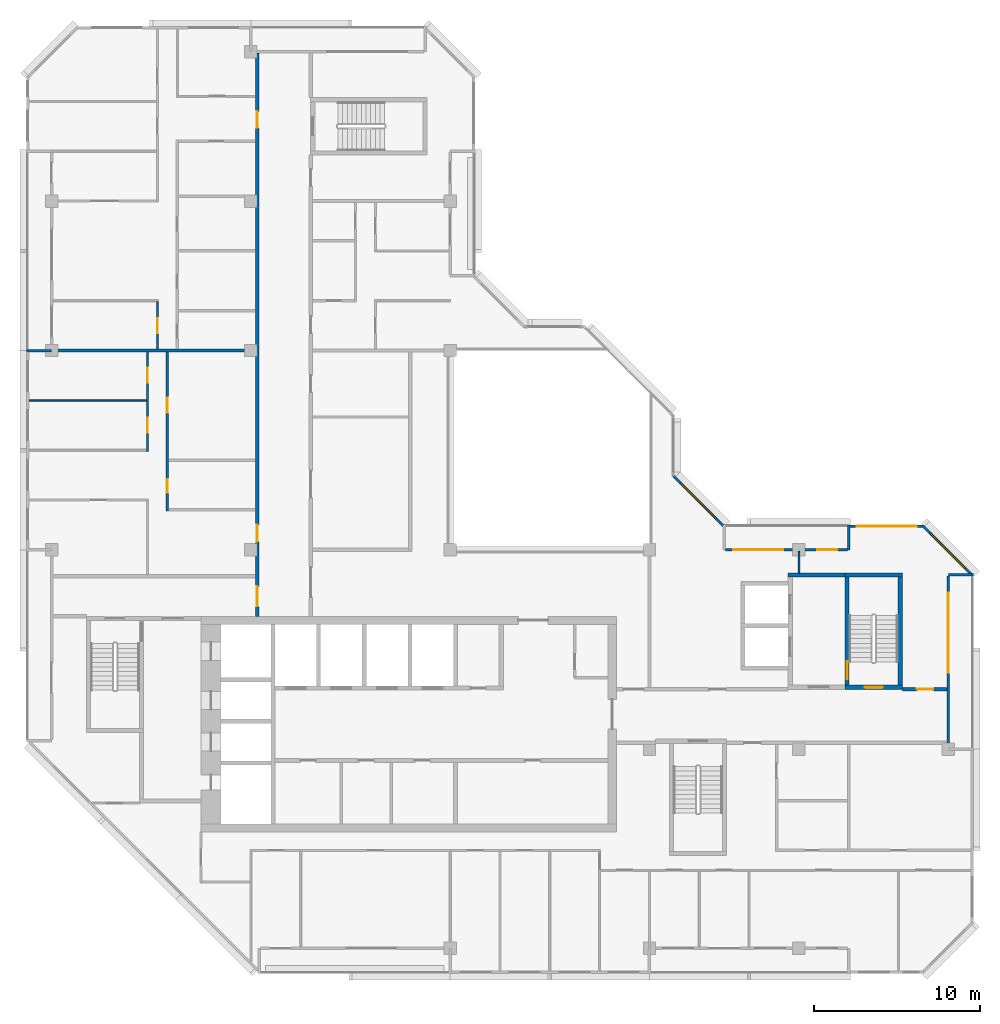
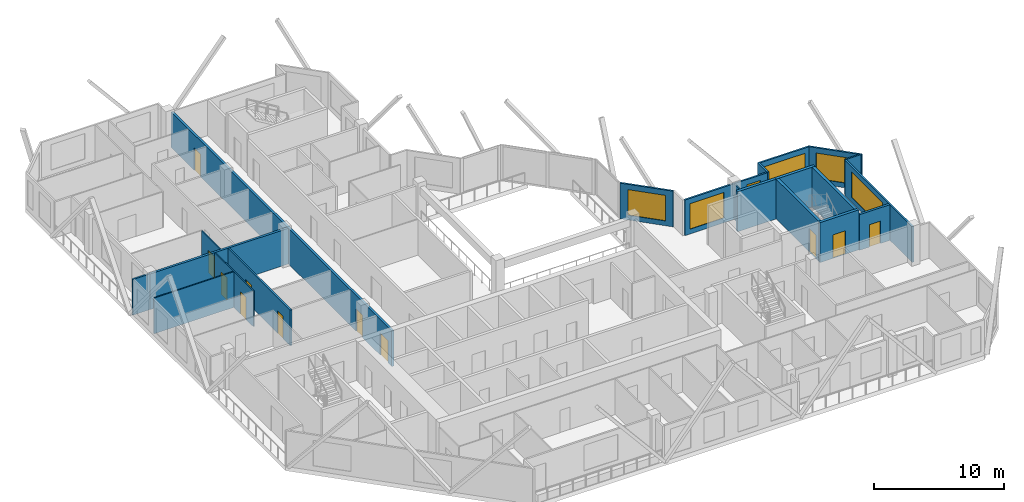
# One storey, part 7 of 12: 21 walls, 11 doors, 6 windows, 17 openings.
"""IFC4 building model written with IfcOpenShell, lengths in metres."""

from ifc_helpers import new_model, si_unit, direction, frame, frame_2d, origin, place, context, subcontext, project, spatial, rectangle, extrude, material, layer, layer_set, type_object, element, fill, save


model = new_model("IFC4")

# Units and contexts
model_context = context("Model", 3, precision=1e-05, world=origin(), true_north=direction((0.0, 1.0)))
body_context = subcontext(model_context, "Body", "Model", "MODEL_VIEW")
ifc_project = project(units=[si_unit("LENGTHUNIT", "METRE"), si_unit("AREAUNIT", "SQUARE_METRE"), si_unit("VOLUMEUNIT", "CUBIC_METRE"), si_unit("PLANEANGLEUNIT", "RADIAN"), si_unit("MASSUNIT", "GRAM", prefix="KILO")], contexts=[model_context])

# Site, building, storey
site_placement = place(None, origin())
site = spatial("IfcSite", under=ifc_project, at=site_placement, CompositionType="ELEMENT")
building_placement = place(site_placement, origin())
building = spatial("IfcBuilding", under=site, at=building_placement, Name="Chenar Terraces", CompositionType="ELEMENT")
storey_placement = place(building_placement, frame((0.0, 0.0, 361.39990234375)))
storey = spatial("IfcBuildingStorey", under=building, at=storey_placement, Name="L84", CompositionType="ELEMENT", Elevation=361.39990234375)

# Wall, opening, door
ifc_material_1 = material(Name="Concrete C50/60", Category="concrete")
ifc_layer_1 = layer(ifc_material_1, 0.25)
ifc_layer_set_1 = layer_set([ifc_layer_1], Name="Concrete C50/60")
wall_type_1 = type_object("IfcWallType", Name="Core wall 250 Concrete C50/60", PredefinedType="SHEAR", material=ifc_layer_set_1)
wall_1_placement = place(storey_placement, frame((47.77490234375, 15.72509765625, 0.0), z_axis=(0.0, 0.0, 1.0), x_axis=(1.0, 0.0, 0.0)))
wall_1 = element("IfcWall", 1, at=wall_1_placement, inside=storey, type_object=wall_type_1, Name="Core wall ST3_S L84", PredefinedType="SHEAR", context=body_context, shape_type="SweptSolid", body=[
    extrude(rectangle(XDim=3.4501953125, YDim=0.25, at=frame_2d((1.72509765625, 0.0))), origin(), (0.0, 0.0, 1.0), 3.75),
])
opening_1_placement = place(wall_1_placement, frame((1.175048828125, 0.0, 0.0)))
opening_1 = element("IfcOpeningElement", 2, at=opening_1_placement, cuts=wall_1, Name="Opening DL84-C8", PredefinedType="OPENING", context=body_context, shape_type="SweptSolid", body=[
    extrude(rectangle(XDim=1.10009765625, YDim=2.199951171875, at=frame_2d((0.550048828125, 1.10009765625))), frame((0.0, 0.135009765625, 0.0), z_axis=(0.0, -1.0, 0.0), x_axis=(1.0, 0.0, 0.0)), (0.0, 0.0, 1.0), 0.27001953125),
])
ifc_material_2 = material(Name="Steel-framed fire-resisting door leaf", Category="steel")
door_type_1 = type_object("IfcDoorType", Name="Stair fire door FD60 1100 x 2200", OperationType="SINGLE_SWING_LEFT", PredefinedType="DOOR", material=ifc_material_2)
door_1_placement = place(opening_1_placement, frame((1.10009765625, 0.0, 0.0), z_axis=(0.0, 0.0, 1.0), x_axis=(-1.0, 0.0, 0.0)))
door_1 = element("IfcDoor", 3, at=door_1_placement, inside=storey, type_object=door_type_1, Name="Stair door DL84-C8", OperationType="SINGLE_SWING_LEFT", OverallHeight=2.199951171875, OverallWidth=1.10009765625, PredefinedType="DOOR", context=body_context, shape_type="SweptSolid", body=[
    extrude(rectangle(XDim=1.10009765625, YDim=2.199951171875, at=frame_2d((0.550048828125, 1.10009765625))), frame((0.0, 0.02490234375, 0.0), z_axis=(0.0, -1.0, 0.0), x_axis=(1.0, 0.0, 0.0)), (0.0, 0.0, 1.0), 0.050048828125),
])
fill(opening_1, door_1)

# Wall
wall_2_placement = place(storey_placement, frame((47.77490234375, 22.47509765625, 0.0), z_axis=(0.0, 0.0, 1.0), x_axis=(1.0, 0.0, 0.0)))
element("IfcWall", 4, at=wall_2_placement, inside=storey, type_object=wall_type_1, Name="Core wall ST3_N L84", PredefinedType="SHEAR", context=body_context, shape_type="SweptSolid", body=[
    extrude(rectangle(XDim=3.4501953125, YDim=0.25, at=frame_2d((1.72509765625, 0.0))), origin(), (0.0, 0.0, 1.0), 3.75),
])

# Wall, opening, door
wall_3_placement = place(storey_placement, frame((47.89990234375, 15.85009765625, 0.0), z_axis=(0.0, 0.0, 1.0), x_axis=(0.0, 1.0, 0.0)))
wall_3 = element("IfcWall", 5, at=wall_3_placement, inside=storey, type_object=wall_type_1, Name="Core wall ST3_W L84", PredefinedType="SHEAR", context=body_context, shape_type="SweptSolid", body=[
    extrude(rectangle(XDim=6.5, YDim=0.25, at=frame_2d((3.25, 0.0))), origin(), (0.0, 0.0, 1.0), 3.75),
])
opening_2_placement = place(wall_3_placement, frame((0.35009765625, 0.0, 0.0)))
opening_2 = element("IfcOpeningElement", 6, at=opening_2_placement, cuts=wall_3, Name="Opening DL84-C11", PredefinedType="OPENING", context=body_context, shape_type="SweptSolid", body=[
    extrude(rectangle(XDim=1.10009765625, YDim=2.199951171875, at=frame_2d((0.550048828125, 1.10009765625))), frame((0.0, 0.135009765625, 0.0), z_axis=(0.0, -1.0, 0.0), x_axis=(1.0, 0.0, 0.0)), (0.0, 0.0, 1.0), 0.27001953125),
])
door_2_placement = place(opening_2_placement, frame((1.10009765625, 0.0, 0.0), z_axis=(0.0, 0.0, 1.0), x_axis=(-1.0, 0.0, 0.0)))
door_2 = element("IfcDoor", 7, at=door_2_placement, inside=storey, type_object=door_type_1, Name="Stair door DL84-C11", OperationType="SINGLE_SWING_RIGHT", OverallHeight=2.199951171875, OverallWidth=1.10009765625, PredefinedType="DOOR", context=body_context, shape_type="SweptSolid", body=[
    extrude(rectangle(XDim=1.10009765625, YDim=2.199951171875, at=frame_2d((0.550048828125, 1.10009765625))), frame((0.0, 0.02490234375, 0.0), z_axis=(0.0, -1.0, 0.0), x_axis=(1.0, 0.0, 0.0)), (0.0, 0.0, 1.0), 0.050048828125),
])
fill(opening_2, door_2)

# Walls
wall_4_placement = place(storey_placement, frame((51.10009765625, 15.85009765625, 0.0), z_axis=(0.0, 0.0, 1.0), x_axis=(0.0, 1.0, 0.0)))
element("IfcWall", 8, at=wall_4_placement, inside=storey, type_object=wall_type_1, Name="Core wall ST3_E L84", PredefinedType="SHEAR", context=body_context, shape_type="SweptSolid", body=[
    extrude(rectangle(XDim=6.5, YDim=0.25, at=frame_2d((3.25, 0.0))), origin(), (0.0, 0.0, 1.0), 3.75),
])
wall_5_placement = place(storey_placement, frame((44.35009765625, 22.47509765625, 0.0), z_axis=(0.0, 0.0, 1.0), x_axis=(1.0, 0.0, 0.0)))
element("IfcWall", 9, at=wall_5_placement, inside=storey, type_object=wall_type_1, Name="Core wall F3_LN L84", PredefinedType="SHEAR", context=body_context, shape_type="SweptSolid", body=[
    extrude(rectangle(XDim=3.4248046875, YDim=0.25, at=frame_2d((1.71240234375, 0.0))), origin(), (0.0, 0.0, 1.0), 3.75),
])

# Wall, openings, doors
ifc_material_3 = material(Name="Gypsum board on steel studs with fire boards", Category="steel")
ifc_layer_2 = layer(ifc_material_3, 0.199951171875)
ifc_layer_set_2 = layer_set([ifc_layer_2], Name="Gypsum board on steel studs with fire boards")
wall_type_2 = type_object("IfcWallType", Name="Corridor wall 200", PredefinedType="PARTITIONING", material=ifc_layer_set_2)
wall_6_placement = place(storey_placement, frame((12.375, 20.0, 0.0), z_axis=(0.0, 0.0, 1.0), x_axis=(0.0, 1.0, 0.0)))
wall_6 = element("IfcWall", 10, at=wall_6_placement, inside=storey, type_object=wall_type_2, Name="Partition L84-030", PredefinedType="PARTITIONING", context=body_context, shape_type="SweptSolid", body=[
    extrude(rectangle(XDim=33.926025390625, YDim=0.199951171875, at=frame_2d((16.962890625, 0.0))), origin(), (0.0, 0.0, 1.0), 3.35009765625),
])
opening_3_placement = place(wall_6_placement, frame((29.39990234375, 0.0, 0.0)))
opening_3 = element("IfcOpeningElement", 11, at=opening_3_placement, cuts=wall_6, Name="Opening DL84-14", PredefinedType="OPENING", context=body_context, shape_type="SweptSolid", body=[
    extrude(rectangle(XDim=1.0, YDim=2.10009765625, at=frame_2d((0.5, 1.050048828125))), frame((0.0, 0.10986328125, 0.0), z_axis=(0.0, -1.0, 0.0), x_axis=(1.0, 0.0, 0.0)), (0.0, 0.0, 1.0), 0.219970703125),
])
opening_4_placement = place(wall_6_placement, frame((0.60009765625, 0.0, 0.0)))
opening_4 = element("IfcOpeningElement", 12, at=opening_4_placement, cuts=wall_6, Name="Opening DL84-21", PredefinedType="OPENING", context=body_context, shape_type="SweptSolid", body=[
    extrude(rectangle(XDim=1.199951171875, YDim=2.10009765625, at=frame_2d((0.60009765625, 1.050048828125))), frame((0.0, 0.10986328125, 0.0), z_axis=(0.0, -1.0, 0.0), x_axis=(1.0, 0.0, 0.0)), (0.0, 0.0, 1.0), 0.219970703125),
])
opening_5_placement = place(wall_6_placement, frame((4.5, 0.0, 0.0)))
opening_5 = element("IfcOpeningElement", 13, at=opening_5_placement, cuts=wall_6, Name="Opening DL84-44", PredefinedType="OPENING", context=body_context, shape_type="SweptSolid", body=[
    extrude(rectangle(XDim=1.0, YDim=2.10009765625, at=frame_2d((0.5, 1.050048828125))), frame((0.0, 0.10986328125, 0.0), z_axis=(0.0, -1.0, 0.0), x_axis=(1.0, 0.0, 0.0)), (0.0, 0.0, 1.0), 0.219970703125),
])
ifc_material_4 = material(Name="Steel-framed fire-resisting door leaf", Category="steel")
door_type_2 = type_object("IfcDoorType", Name="Fire door FD30S 1000 x 2100", OperationType="SINGLE_SWING_LEFT", PredefinedType="DOOR", material=ifc_material_4)
door_3_placement = place(opening_3_placement, origin())
door_3 = element("IfcDoor", 14, at=door_3_placement, inside=storey, type_object=door_type_2, Name="Door DL84-14", OperationType="SINGLE_SWING_LEFT", OverallHeight=2.10009765625, OverallWidth=1.0, PredefinedType="DOOR", context=body_context, shape_type="SweptSolid", body=[
    extrude(rectangle(XDim=1.0, YDim=2.10009765625, at=frame_2d((0.5, 1.050048828125))), frame((0.0, 0.02490234375, 0.0), z_axis=(0.0, -1.0, 0.0), x_axis=(1.0, 0.0, 0.0)), (0.0, 0.0, 1.0), 0.050048828125),
])
fill(opening_3, door_3)
door_4_placement = place(opening_5_placement, origin())
door_4 = element("IfcDoor", 15, at=door_4_placement, inside=storey, type_object=door_type_2, Name="Door DL84-44", OperationType="SINGLE_SWING_LEFT", OverallHeight=2.10009765625, OverallWidth=1.0, PredefinedType="DOOR", context=body_context, shape_type="SweptSolid", body=[
    extrude(rectangle(XDim=1.0, YDim=2.10009765625, at=frame_2d((0.5, 1.050048828125))), frame((0.0, 0.02490234375, 0.0), z_axis=(0.0, -1.0, 0.0), x_axis=(1.0, 0.0, 0.0)), (0.0, 0.0, 1.0), 0.050048828125),
])
fill(opening_5, door_4)
ifc_material_5 = material(Name="Steel-framed fire-resisting door leaf", Category="steel")
door_type_3 = type_object("IfcDoorType", Name="Fire door FD30S 1200 x 2100", OperationType="SINGLE_SWING_LEFT", PredefinedType="DOOR", material=ifc_material_5)
door_5_placement = place(opening_4_placement, origin())
door_5 = element("IfcDoor", 16, at=door_5_placement, inside=storey, type_object=door_type_3, Name="Door DL84-21", OperationType="SINGLE_SWING_RIGHT", OverallHeight=2.10009765625, OverallWidth=1.199951171875, PredefinedType="DOOR", context=body_context, shape_type="SweptSolid", body=[
    extrude(rectangle(XDim=1.199951171875, YDim=2.10009765625, at=frame_2d((0.60009765625, 1.050048828125))), frame((0.0, 0.02490234375, 0.0), z_axis=(0.0, -1.0, 0.0), x_axis=(1.0, 0.0, 0.0)), (0.0, 0.0, 1.0), 0.050048828125),
])
fill(opening_4, door_5)

# Wall, opening, door
wall_7_placement = place(storey_placement, frame((51.22509765625, 15.60009765625, 0.0), z_axis=(0.0, 0.0, 1.0), x_axis=(1.0, 0.0, 0.0)))
wall_7 = element("IfcWall", 17, at=wall_7_placement, inside=storey, type_object=wall_type_2, Name="Partition L84-064", PredefinedType="PARTITIONING", context=body_context, shape_type="SweptSolid", body=[
    extrude(rectangle(XDim=2.700927734375, YDim=0.199951171875, at=frame_2d((1.3505859375, 0.0))), origin(), (0.0, 0.0, 1.0), 3.35009765625),
])
opening_6_placement = place(wall_7_placement, frame((0.875, 0.0, 0.0)))
opening_6 = element("IfcOpeningElement", 18, at=opening_6_placement, cuts=wall_7, Name="Opening DL84-22", PredefinedType="OPENING", context=body_context, shape_type="SweptSolid", body=[
    extrude(rectangle(XDim=1.0, YDim=2.10009765625, at=frame_2d((0.5, 1.050048828125))), frame((0.0, 0.10986328125, 0.0), z_axis=(0.0, -1.0, 0.0), x_axis=(1.0, 0.0, 0.0)), (0.0, 0.0, 1.0), 0.219970703125),
])
ifc_material_6 = material(Name="Steel-framed fire-resisting door leaf", Category="steel")
door_type_4 = type_object("IfcDoorType", Name="Fire door FD60 1000 x 2100", OperationType="SINGLE_SWING_LEFT", PredefinedType="DOOR", material=ifc_material_6)
door_6_placement = place(opening_6_placement, origin())
door_6 = element("IfcDoor", 19, at=door_6_placement, inside=storey, type_object=door_type_4, Name="Door DL84-22", OperationType="SINGLE_SWING_RIGHT", OverallHeight=2.10009765625, OverallWidth=1.0, PredefinedType="DOOR", context=body_context, shape_type="SweptSolid", body=[
    extrude(rectangle(XDim=1.0, YDim=2.10009765625, at=frame_2d((0.5, 1.050048828125))), frame((0.0, 0.02490234375, 0.0), z_axis=(0.0, -1.0, 0.0), x_axis=(1.0, 0.0, 0.0)), (0.0, 0.0, 1.0), 0.050048828125),
])
fill(opening_6, door_6)

# Wall, opening, window
ifc_material_7 = material(Name="Aluminium framed glazing", Category="aluminium")
ifc_layer_3 = layer(ifc_material_7, 0.14990234375)
ifc_layer_set_3 = layer_set([ifc_layer_3], Name="Aluminium framed glazing")
wall_type_3 = type_object("IfcWallType", Name="Glazed flush facade wall 150", PredefinedType="SOLIDWALL", material=ifc_layer_set_3)
wall_8_placement = place(storey_placement, frame((52.5, 25.425048828125, 0.0), z_axis=(0.0, 0.0, 1.0), x_axis=(-1.0, 0.0, 0.0)))
wall_8 = element("IfcWall", 20, at=wall_8_placement, inside=storey, type_object=wall_type_3, Name="Glazed flush facade wall", PredefinedType="SOLIDWALL", context=body_context, shape_type="SweptSolid", body=[
    extrude(rectangle(XDim=4.425048828125, YDim=0.14990234375, at=frame_2d((2.21240234375, 0.0))), origin(), (0.0, 0.0, 1.0), 3.35009765625),
])
opening_7_placement = place(wall_8_placement, frame((0.41259765625, 0.0, 0.449951171875)))
opening_7 = element("IfcOpeningElement", 21, at=opening_7_placement, cuts=wall_8, Name="Opening W360x240", PredefinedType="OPENING", context=body_context, shape_type="SweptSolid", body=[
    extrude(rectangle(XDim=3.60009765625, YDim=2.39990234375, at=frame_2d((1.800048828125, 1.199951171875))), frame((0.0, 0.0849609375, 0.0), z_axis=(0.0, -1.0, 0.0), x_axis=(1.0, 0.0, 0.0)), (0.0, 0.0, 1.0), 0.169921875),
])
ifc_material_8 = material(Name="Low emissivity double glazing, aluminium frame", Category="aluminium")
window_type_1 = type_object("IfcWindowType", Name="Fixed light 3600 x 2400", PartitioningType="SINGLE_PANEL", PredefinedType="WINDOW", material=ifc_material_8)
window_1_placement = place(opening_7_placement, origin())
window_1 = element("IfcWindow", 22, at=window_1_placement, inside=storey, type_object=window_type_1, Name="Window", OverallHeight=2.39990234375, OverallWidth=3.60009765625, PartitioningType="SINGLE_PANEL", PredefinedType="WINDOW", context=body_context, shape_type="SweptSolid", body=[
    extrude(rectangle(XDim=3.60009765625, YDim=2.39990234375, at=frame_2d((1.800048828125, 1.199951171875))), frame((0.0, 0.030029296875, 0.0), z_axis=(0.0, -1.0, 0.0), x_axis=(1.0, 0.0, 0.0)), (0.0, 0.0, 1.0), 0.06005859375),
])
fill(opening_7, window_1)

# Wall, openings, windows
ifc_material_9 = material(Name="Aluminium framed glazing", Category="aluminium")
ifc_layer_4 = layer(ifc_material_9, 0.14990234375)
ifc_layer_set_4 = layer_set([ifc_layer_4], Name="Aluminium framed glazing")
wall_type_4 = type_object("IfcWallType", Name="Glazed loggia back wall 150", PredefinedType="SOLIDWALL", material=ifc_layer_set_4)
wall_9_placement = place(storey_placement, frame((47.925048828125, 24.0, 0.0), z_axis=(0.0, 0.0, 1.0), x_axis=(-1.0, 0.0, 0.0)))
wall_9 = element("IfcWall", 23, at=wall_9_placement, inside=storey, type_object=wall_type_4, Name="Glazed loggia back wall", PredefinedType="SOLIDWALL", context=body_context, shape_type="SweptSolid", body=[
    extrude(rectangle(XDim=7.35009765625, YDim=0.14990234375, at=frame_2d((3.675048828125, 0.0))), origin(), (0.0, 0.0, 1.0), 3.35009765625),
])
opening_8_placement = place(wall_9_placement, frame((0.625, 0.0, 0.449951171875)))
opening_8 = element("IfcOpeningElement", 24, at=opening_8_placement, cuts=wall_9, Name="Opening W120x240", PredefinedType="OPENING", context=body_context, shape_type="SweptSolid", body=[
    extrude(rectangle(XDim=1.199951171875, YDim=2.39990234375, at=frame_2d((0.60009765625, 1.199951171875))), frame((0.0, 0.0849609375, 0.0), z_axis=(0.0, -1.0, 0.0), x_axis=(1.0, 0.0, 0.0)), (0.0, 0.0, 1.0), 0.169921875),
])
opening_9_placement = place(wall_9_placement, frame((3.875, 0.0, 0.449951171875)))
opening_9 = element("IfcOpeningElement", 25, at=opening_9_placement, cuts=wall_9, Name="Opening W300x240", PredefinedType="OPENING", context=body_context, shape_type="SweptSolid", body=[
    extrude(rectangle(XDim=3.0, YDim=2.39990234375, at=frame_2d((1.5, 1.199951171875))), frame((0.0, 0.0849609375, 0.0), z_axis=(0.0, -1.0, 0.0), x_axis=(1.0, 0.0, 0.0)), (0.0, 0.0, 1.0), 0.169921875),
])
ifc_material_10 = material(Name="Low emissivity double glazing, aluminium frame", Category="aluminium")
window_type_2 = type_object("IfcWindowType", Name="Fixed light 1200 x 2400", PartitioningType="SINGLE_PANEL", PredefinedType="WINDOW", material=ifc_material_10)
window_2_placement = place(opening_8_placement, origin())
window_2 = element("IfcWindow", 26, at=window_2_placement, inside=storey, type_object=window_type_2, Name="Window", OverallHeight=2.39990234375, OverallWidth=1.199951171875, PartitioningType="SINGLE_PANEL", PredefinedType="WINDOW", context=body_context, shape_type="SweptSolid", body=[
    extrude(rectangle(XDim=1.199951171875, YDim=2.39990234375, at=frame_2d((0.60009765625, 1.199951171875))), frame((0.0, 0.030029296875, 0.0), z_axis=(0.0, -1.0, 0.0), x_axis=(1.0, 0.0, 0.0)), (0.0, 0.0, 1.0), 0.06005859375),
])
fill(opening_8, window_2)
ifc_material_11 = material(Name="Low emissivity double glazing, aluminium frame", Category="aluminium")
window_type_3 = type_object("IfcWindowType", Name="Fixed light 3000 x 2400", PartitioningType="SINGLE_PANEL", PredefinedType="WINDOW", material=ifc_material_11)
window_3_placement = place(opening_9_placement, origin())
window_3 = element("IfcWindow", 27, at=window_3_placement, inside=storey, type_object=window_type_3, Name="Window", OverallHeight=2.39990234375, OverallWidth=3.0, PartitioningType="SINGLE_PANEL", PredefinedType="WINDOW", context=body_context, shape_type="SweptSolid", body=[
    extrude(rectangle(XDim=3.0, YDim=2.39990234375, at=frame_2d((1.5, 1.199951171875))), frame((0.0, 0.030029296875, 0.0), z_axis=(0.0, -1.0, 0.0), x_axis=(1.0, 0.0, 0.0)), (0.0, 0.0, 1.0), 0.06005859375),
])
fill(opening_9, window_3)

# Wall, opening, window
wall_10_placement = place(storey_placement, frame((54.0, 12.074951171875, 0.0), z_axis=(0.0, 0.0, 1.0), x_axis=(0.0, 1.0, 0.0)))
wall_10 = element("IfcWall", 28, at=wall_10_placement, inside=storey, type_object=wall_type_4, Name="Glazed loggia back wall", PredefinedType="SOLIDWALL", context=body_context, shape_type="SweptSolid", body=[
    extrude(rectangle(XDim=10.35009765625, YDim=0.14990234375, at=frame_2d((5.175048828125, 0.0))), origin(), (0.0, 0.0, 1.0), 3.35009765625),
])
opening_10_placement = place(wall_10_placement, frame((4.53759765625, 0.0, 0.449951171875)))
opening_10 = element("IfcOpeningElement", 29, at=opening_10_placement, cuts=wall_10, Name="Opening W480x240", PredefinedType="OPENING", context=body_context, shape_type="SweptSolid", body=[
    extrude(rectangle(XDim=4.800048828125, YDim=2.39990234375, at=frame_2d((2.39990234375, 1.199951171875))), frame((0.0, 0.0849609375, 0.0), z_axis=(0.0, -1.0, 0.0), x_axis=(1.0, 0.0, 0.0)), (0.0, 0.0, 1.0), 0.169921875),
])
ifc_material_12 = material(Name="Low emissivity double glazing, aluminium frame", Category="aluminium")
window_type_4 = type_object("IfcWindowType", Name="Fixed light 4800 x 2400", PartitioningType="SINGLE_PANEL", PredefinedType="WINDOW", material=ifc_material_12)
window_4_placement = place(opening_10_placement, origin())
window_4 = element("IfcWindow", 30, at=window_4_placement, inside=storey, type_object=window_type_4, Name="Window", OverallHeight=2.39990234375, OverallWidth=4.800048828125, PartitioningType="SINGLE_PANEL", PredefinedType="WINDOW", context=body_context, shape_type="SweptSolid", body=[
    extrude(rectangle(XDim=4.800048828125, YDim=2.39990234375, at=frame_2d((2.39990234375, 1.199951171875))), frame((0.0, 0.030029296875, 0.0), z_axis=(0.0, -1.0, 0.0), x_axis=(1.0, 0.0, 0.0)), (0.0, 0.0, 1.0), 0.06005859375),
])
fill(opening_10, window_4)

# Wall
ifc_material_13 = material(Name="Gypsum board on steel studs", Category="steel")
ifc_layer_5 = layer(ifc_material_13, 0.10009765625)
ifc_layer_set_5 = layer_set([ifc_layer_5], Name="Gypsum board on steel studs")
wall_type_5 = type_object("IfcWallType", Name="Gypsum partition 100", PredefinedType="PARTITIONING", material=ifc_layer_set_5)
wall_11_placement = place(storey_placement, frame((-1.35009765625, 33.0, 0.0), z_axis=(0.0, 0.0, 1.0), x_axis=(1.0, 0.0, 0.0)))
element("IfcWall", 31, at=wall_11_placement, inside=storey, type_object=wall_type_5, Name="Partition L84-003", PredefinedType="PARTITIONING", context=body_context, shape_type="SweptSolid", body=[
    extrude(rectangle(XDim=7.0751953125, YDim=0.10009765625, at=frame_2d((3.53759765625, 0.0))), origin(), (0.0, 0.0, 1.0), 3.35009765625),
])

# Wall, openings, doors
wall_12_placement = place(storey_placement, frame((5.77490234375, 29.949951171875, 0.0), z_axis=(0.0, 0.0, 1.0), x_axis=(0.0, 1.0, 0.0)))
wall_12 = element("IfcWall", 32, at=wall_12_placement, inside=storey, type_object=wall_type_5, Name="Partition L84-013", PredefinedType="PARTITIONING", context=body_context, shape_type="SweptSolid", body=[
    extrude(rectangle(XDim=5.949951171875, YDim=0.10009765625, at=frame_2d((2.97509765625, 0.0))), origin(), (0.0, 0.0, 1.0), 3.35009765625),
])
opening_11_placement = place(wall_12_placement, frame((1.10009765625, 0.0, 0.0)))
opening_11 = element("IfcOpeningElement", 33, at=opening_11_placement, cuts=wall_12, Name="Opening DL84-42", PredefinedType="OPENING", context=body_context, shape_type="SweptSolid", body=[
    extrude(rectangle(XDim=0.89990234375, YDim=2.10009765625, at=frame_2d((0.449951171875, 1.050048828125))), frame((0.0, 0.06005859375, 0.0), z_axis=(0.0, -1.0, 0.0), x_axis=(1.0, 0.0, 0.0)), (0.0, 0.0, 1.0), 0.1201171875),
])
opening_12_placement = place(wall_12_placement, frame((4.10009765625, 0.0, 0.0)))
opening_12 = element("IfcOpeningElement", 34, at=opening_12_placement, cuts=wall_12, Name="Opening DL84-45", PredefinedType="OPENING", context=body_context, shape_type="SweptSolid", body=[
    extrude(rectangle(XDim=0.89990234375, YDim=2.10009765625, at=frame_2d((0.449951171875, 1.050048828125))), frame((0.0, 0.06005859375, 0.0), z_axis=(0.0, -1.0, 0.0), x_axis=(1.0, 0.0, 0.0)), (0.0, 0.0, 1.0), 0.1201171875),
])
ifc_material_14 = material(Name="Veneered timber door leaf", Category="wood")
door_type_5 = type_object("IfcDoorType", Name="Door 900 x 2100", OperationType="SINGLE_SWING_LEFT", PredefinedType="DOOR", material=ifc_material_14)
door_7_placement = place(opening_11_placement, origin())
door_7 = element("IfcDoor", 35, at=door_7_placement, inside=storey, type_object=door_type_5, Name="Door DL84-42", OperationType="SINGLE_SWING_LEFT", OverallHeight=2.10009765625, OverallWidth=0.89990234375, PredefinedType="DOOR", context=body_context, shape_type="SweptSolid", body=[
    extrude(rectangle(XDim=0.89990234375, YDim=2.10009765625, at=frame_2d((0.449951171875, 1.050048828125))), frame((0.0, 0.02490234375, 0.0), z_axis=(0.0, -1.0, 0.0), x_axis=(1.0, 0.0, 0.0)), (0.0, 0.0, 1.0), 0.050048828125),
])
fill(opening_11, door_7)
door_8_placement = place(opening_12_placement, origin())
door_8 = element("IfcDoor", 36, at=door_8_placement, inside=storey, type_object=door_type_5, Name="Door DL84-45", OperationType="SINGLE_SWING_RIGHT", OverallHeight=2.10009765625, OverallWidth=0.89990234375, PredefinedType="DOOR", context=body_context, shape_type="SweptSolid", body=[
    extrude(rectangle(XDim=0.89990234375, YDim=2.10009765625, at=frame_2d((0.449951171875, 1.050048828125))), frame((0.0, 0.02490234375, 0.0), z_axis=(0.0, -1.0, 0.0), x_axis=(1.0, 0.0, 0.0)), (0.0, 0.0, 1.0), 0.050048828125),
])
fill(opening_12, door_8)

# Wall, opening, door
wall_13_placement = place(storey_placement, frame((6.375, 36.10009765625, 0.0), z_axis=(0.0, 0.0, 1.0), x_axis=(0.0, 1.0, 0.0)))
wall_13 = element("IfcWall", 37, at=wall_13_placement, inside=storey, type_object=wall_type_5, Name="Partition L84-014", PredefinedType="PARTITIONING", context=body_context, shape_type="SweptSolid", body=[
    extrude(rectangle(XDim=2.849853515625, YDim=0.10009765625, at=frame_2d((1.4248046875, 0.0))), origin(), (0.0, 0.0, 1.0), 3.35009765625),
])
opening_13_placement = place(wall_13_placement, frame((0.949951171875, 0.0, 0.0)))
opening_13 = element("IfcOpeningElement", 38, at=opening_13_placement, cuts=wall_13, Name="Opening DL84-10", PredefinedType="OPENING", context=body_context, shape_type="SweptSolid", body=[
    extrude(rectangle(XDim=0.89990234375, YDim=2.10009765625, at=frame_2d((0.449951171875, 1.050048828125))), frame((0.0, 0.06005859375, 0.0), z_axis=(0.0, -1.0, 0.0), x_axis=(1.0, 0.0, 0.0)), (0.0, 0.0, 1.0), 0.1201171875),
])
door_9_placement = place(opening_13_placement, origin())
door_9 = element("IfcDoor", 39, at=door_9_placement, inside=storey, type_object=door_type_5, Name="Door DL84-10", OperationType="SINGLE_SWING_RIGHT", OverallHeight=2.10009765625, OverallWidth=0.89990234375, PredefinedType="DOOR", context=body_context, shape_type="SweptSolid", body=[
    extrude(rectangle(XDim=0.89990234375, YDim=2.10009765625, at=frame_2d((0.449951171875, 1.050048828125))), frame((0.0, 0.02490234375, 0.0), z_axis=(0.0, -1.0, 0.0), x_axis=(1.0, 0.0, 0.0)), (0.0, 0.0, 1.0), 0.050048828125),
])
fill(opening_13, door_9)

# Walls
wall_14_placement = place(storey_placement, frame((45.0, 22.60009765625, 0.0), z_axis=(0.0, 0.0, 1.0), x_axis=(0.0, 1.0, 0.0)))
element("IfcWall", 40, at=wall_14_placement, inside=storey, type_object=wall_type_5, Name="Partition L84-061", PredefinedType="PARTITIONING", context=body_context, shape_type="SweptSolid", body=[
    extrude(rectangle(XDim=1.325927734375, YDim=0.10009765625, at=frame_2d((0.6630859375, 0.0))), origin(), (0.0, 0.0, 1.0), 3.35009765625),
])
ifc_material_15 = material(Name="Terracotta cladding on insulated backing", Category="masonry")
ifc_layer_6 = layer(ifc_material_15, 0.14990234375)
ifc_layer_set_6 = layer_set([ifc_layer_6], Name="Terracotta cladding on insulated backing")
wall_type_6 = type_object("IfcWallType", Name="Loggia return wall 150", PredefinedType="SOLIDWALL", material=ifc_layer_set_6)
for number, where, z_axis, x_axis, name in (
    (41, (48.0, 25.5, 0.0), (0.0, 0.0, 1.0), (0.0, -1.0, 0.0), "Loggia return wall"),
    (42, (-1.5, 36.0, 0.0), (0.0, 0.0, 1.0), (1.0, 0.0, 0.0), "Loggia return wall"),
    (43, (55.5, 22.5, 0.0), (0.0, 0.0, 1.0), (-1.0, 0.0, 0.0), "Loggia return wall"),
):
    element("IfcWall", number, at=place(storey_placement, frame(where, z_axis=z_axis, x_axis=x_axis)), inside=storey, type_object=wall_type_6, Name=name, PredefinedType="SOLIDWALL", context=body_context, shape_type="SweptSolid", body=[
        extrude(rectangle(XDim=1.5, YDim=0.14990234375, at=frame_2d((0.75, 0.0))), origin(), (0.0, 0.0, 1.0), 3.35009765625),
    ])

# Wall, opening, window
ifc_material_16 = material(Name="Terracotta cladding on insulated backing", Category="masonry")
ifc_layer_7 = layer(ifc_material_16, 0.14990234375)
ifc_layer_set_7 = layer_set([ifc_layer_7], Name="Terracotta cladding on insulated backing")
wall_type_7 = type_object("IfcWallType", Name="Terracotta rainscreen wall 150", PredefinedType="SOLIDWALL", material=ifc_layer_set_7)
wall_15_placement = place(storey_placement, frame((40.447021484375, 25.447021484375, 0.0), z_axis=(0.0, 0.0, 1.0), x_axis=(-0.707106781187, 0.707106781187, 0.0)))
wall_15 = element("IfcWall", 44, at=wall_15_placement, inside=storey, type_object=wall_type_7, Name="Terracotta rainscreen wall", PredefinedType="SOLIDWALL", context=body_context, shape_type="SweptSolid", body=[
    extrude(rectangle(XDim=4.24267578125, YDim=0.14990234375, at=frame_2d((2.121337890625, 0.0))), origin(), (0.0, 0.0, 1.0), 3.35009765625),
])
opening_14_placement = place(wall_15_placement, frame((0.621337890625, 0.0, 0.449951171875)))
opening_14 = element("IfcOpeningElement", 45, at=opening_14_placement, cuts=wall_15, Name="Opening W300x240", PredefinedType="OPENING", context=body_context, shape_type="SweptSolid", body=[
    extrude(rectangle(XDim=3.0, YDim=2.39990234375, at=frame_2d((1.5, 1.199951171875))), frame((0.0, 0.0849609375, 0.0), z_axis=(0.0, -1.0, 0.0), x_axis=(1.0, 0.0, 0.0)), (0.0, 0.0, 1.0), 0.169921875),
])
window_5_placement = place(opening_14_placement, origin())
window_5 = element("IfcWindow", 46, at=window_5_placement, inside=storey, type_object=window_type_3, Name="Window", OverallHeight=2.39990234375, OverallWidth=3.0, PartitioningType="SINGLE_PANEL", PredefinedType="WINDOW", context=body_context, shape_type="SweptSolid", body=[
    extrude(rectangle(XDim=3.0, YDim=2.39990234375, at=frame_2d((1.5, 1.199951171875))), frame((0.0, 0.030029296875, 0.0), z_axis=(0.0, -1.0, 0.0), x_axis=(1.0, 0.0, 0.0)), (0.0, 0.0, 1.0), 0.06005859375),
])
fill(opening_14, window_5)

wall_16_placement = place(storey_placement, frame((55.447021484375, 22.447021484375, 0.0), z_axis=(0.0, 0.0, 1.0), x_axis=(-0.707106781187, 0.707106781187, 0.0)))
wall_16 = element("IfcWall", 47, at=wall_16_placement, inside=storey, type_object=wall_type_7, Name="Terracotta rainscreen wall", PredefinedType="SOLIDWALL", context=body_context, shape_type="SweptSolid", body=[
    extrude(rectangle(XDim=4.24267578125, YDim=0.14990234375, at=frame_2d((2.121337890625, 0.0))), origin(), (0.0, 0.0, 1.0), 3.35009765625),
])
opening_15_placement = place(wall_16_placement, frame((0.621337890625, 0.0, 0.449951171875)))
opening_15 = element("IfcOpeningElement", 48, at=opening_15_placement, cuts=wall_16, Name="Opening W300x240", PredefinedType="OPENING", context=body_context, shape_type="SweptSolid", body=[
    extrude(rectangle(XDim=3.0, YDim=2.39990234375, at=frame_2d((1.5, 1.199951171875))), frame((0.0, 0.0849609375, 0.0), z_axis=(0.0, -1.0, 0.0), x_axis=(1.0, 0.0, 0.0)), (0.0, 0.0, 1.0), 0.169921875),
])
window_6_placement = place(opening_15_placement, origin())
window_6 = element("IfcWindow", 49, at=window_6_placement, inside=storey, type_object=window_type_3, Name="Window", OverallHeight=2.39990234375, OverallWidth=3.0, PartitioningType="SINGLE_PANEL", PredefinedType="WINDOW", context=body_context, shape_type="SweptSolid", body=[
    extrude(rectangle(XDim=3.0, YDim=2.39990234375, at=frame_2d((1.5, 1.199951171875))), frame((0.0, 0.030029296875, 0.0), z_axis=(0.0, -1.0, 0.0), x_axis=(1.0, 0.0, 0.0)), (0.0, 0.0, 1.0), 0.06005859375),
])
fill(opening_15, window_6)

# Wall
ifc_material_17 = material(Name="Twin gypsum board on steel studs with mineral wool", Category="steel")
ifc_layer_8 = layer(ifc_material_17, 0.199951171875)
ifc_layer_set_8 = layer_set([ifc_layer_8], Name="Twin gypsum board on steel studs with mineral wool")
wall_type_8 = type_object("IfcWallType", Name="Unit demising wall 200", PredefinedType="PARTITIONING", material=ifc_layer_set_8)
wall_17_placement = place(storey_placement, frame((0.0, 36.0, 0.0), z_axis=(0.0, 0.0, 1.0), x_axis=(1.0, 0.0, 0.0)))
element("IfcWall", 50, at=wall_17_placement, inside=storey, type_object=wall_type_8, Name="Partition L84-004", PredefinedType="PARTITIONING", context=body_context, shape_type="SweptSolid", body=[
    extrude(rectangle(XDim=12.27490234375, YDim=0.199951171875, at=frame_2d((6.137451171875, 0.0))), origin(), (0.0, 0.0, 1.0), 3.35009765625),
])

# Wall, openings, doors
ifc_material_18 = material(Name="Moisture-resistant gypsum board on steel studs", Category="steel")
ifc_layer_9 = layer(ifc_material_18, 0.14990234375)
ifc_layer_set_9 = layer_set([ifc_layer_9], Name="Moisture-resistant gypsum board on steel studs")
wall_type_9 = type_object("IfcWallType", Name="Wet-room partition 150", PredefinedType="PARTITIONING", material=ifc_layer_set_9)
wall_18_placement = place(storey_placement, frame((6.97509765625, 26.324951171875, 0.0), z_axis=(0.0, 0.0, 1.0), x_axis=(0.0, 1.0, 0.0)))
wall_18 = element("IfcWall", 51, at=wall_18_placement, inside=storey, type_object=wall_type_9, Name="Partition L84-016", PredefinedType="PARTITIONING", context=body_context, shape_type="SweptSolid", body=[
    extrude(rectangle(XDim=9.574951171875, YDim=0.14990234375, at=frame_2d((4.78759765625, 0.0))), origin(), (0.0, 0.0, 1.0), 3.35009765625),
])
opening_16_placement = place(wall_18_placement, frame((1.125, 0.0, 0.0)))
opening_16 = element("IfcOpeningElement", 52, at=opening_16_placement, cuts=wall_18, Name="Opening DL84-40", PredefinedType="OPENING", context=body_context, shape_type="SweptSolid", body=[
    extrude(rectangle(XDim=0.800048828125, YDim=2.10009765625, at=frame_2d((0.39990234375, 1.050048828125))), frame((0.0, 0.0849609375, 0.0), z_axis=(0.0, -1.0, 0.0), x_axis=(1.0, 0.0, 0.0)), (0.0, 0.0, 1.0), 0.169921875),
])
opening_17_placement = place(wall_18_placement, frame((5.925048828125, 0.0, 0.0)))
opening_17 = element("IfcOpeningElement", 53, at=opening_17_placement, cuts=wall_18, Name="Opening DL84-43", PredefinedType="OPENING", context=body_context, shape_type="SweptSolid", body=[
    extrude(rectangle(XDim=0.89990234375, YDim=2.10009765625, at=frame_2d((0.449951171875, 1.050048828125))), frame((0.0, 0.0849609375, 0.0), z_axis=(0.0, -1.0, 0.0), x_axis=(1.0, 0.0, 0.0)), (0.0, 0.0, 1.0), 0.169921875),
])
ifc_material_19 = material(Name="Veneered timber door leaf", Category="wood")
door_type_6 = type_object("IfcDoorType", Name="Door 800 x 2100", OperationType="SINGLE_SWING_LEFT", PredefinedType="DOOR", material=ifc_material_19)
door_10_placement = place(opening_16_placement, frame((0.800048828125, 0.0, 0.0), z_axis=(0.0, 0.0, 1.0), x_axis=(-1.0, 0.0, 0.0)))
door_10 = element("IfcDoor", 54, at=door_10_placement, inside=storey, type_object=door_type_6, Name="Door DL84-40", OperationType="SINGLE_SWING_RIGHT", OverallHeight=2.10009765625, OverallWidth=0.800048828125, PredefinedType="DOOR", context=body_context, shape_type="SweptSolid", body=[
    extrude(rectangle(XDim=0.800048828125, YDim=2.10009765625, at=frame_2d((0.39990234375, 1.050048828125))), frame((0.0, 0.02490234375, 0.0), z_axis=(0.0, -1.0, 0.0), x_axis=(1.0, 0.0, 0.0)), (0.0, 0.0, 1.0), 0.050048828125),
])
fill(opening_16, door_10)
door_11_placement = place(opening_17_placement, frame((0.89990234375, 0.0, 0.0), z_axis=(0.0, 0.0, 1.0), x_axis=(-1.0, 0.0, 0.0)))
door_11 = element("IfcDoor", 55, at=door_11_placement, inside=storey, type_object=door_type_5, Name="Door DL84-43", OperationType="SINGLE_SWING_RIGHT", OverallHeight=2.10009765625, OverallWidth=0.89990234375, PredefinedType="DOOR", context=body_context, shape_type="SweptSolid", body=[
    extrude(rectangle(XDim=0.89990234375, YDim=2.10009765625, at=frame_2d((0.449951171875, 1.050048828125))), frame((0.0, 0.02490234375, 0.0), z_axis=(0.0, -1.0, 0.0), x_axis=(1.0, 0.0, 0.0)), (0.0, 0.0, 1.0), 0.050048828125),
])
fill(opening_17, door_11)

save(model, "model.ifc")
